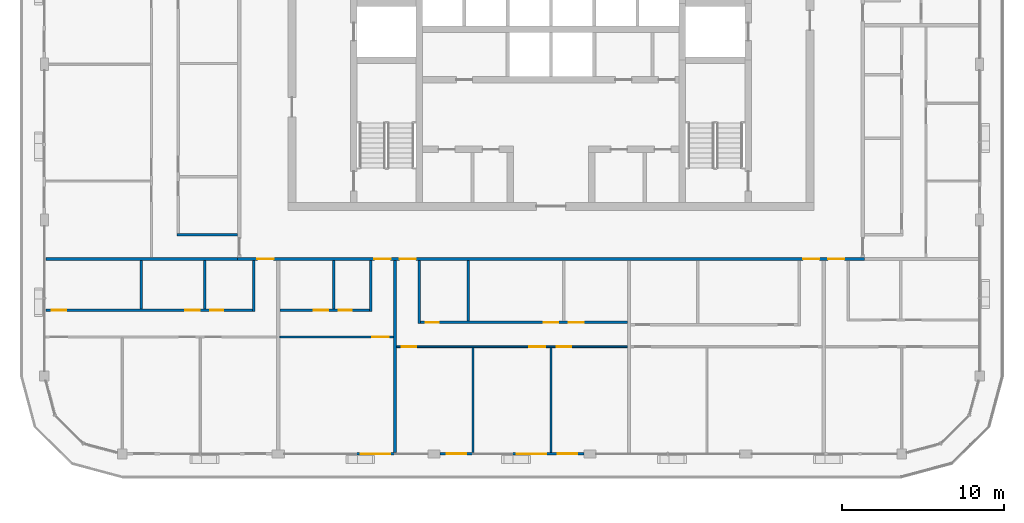
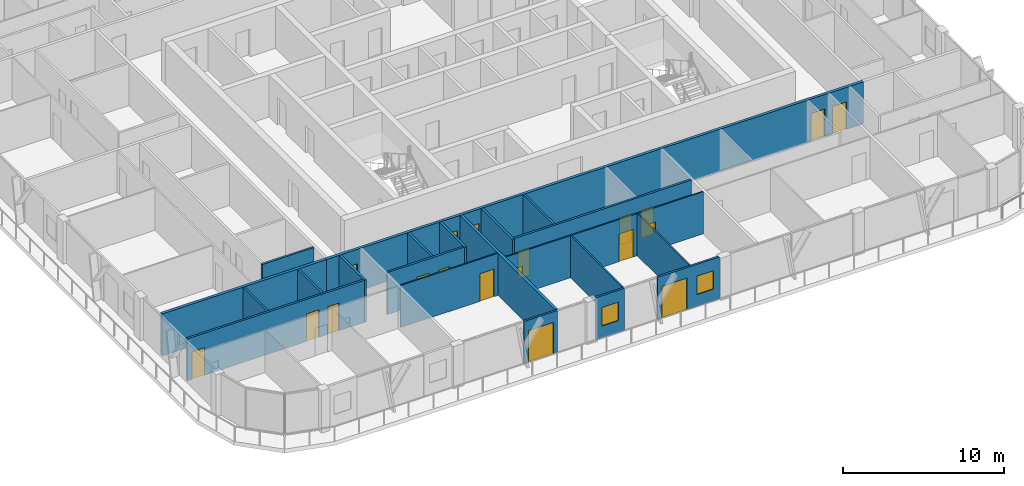
# One storey, part 9 of 22: 21 walls, 19 doors, 2 windows, 21 openings.
"""IFC4 building model written with IfcOpenShell, lengths in metres."""

from ifc_helpers import new_model, si_unit, direction, frame, frame_2d, origin, place, context, subcontext, project, spatial, rectangle, extrude, material, layer, layer_set, type_object, element, fill, save


model = new_model("IFC4")

# Units and contexts
model_context = context("Model", 3, precision=1e-05, world=origin(), true_north=direction((0.0, 1.0)))
body_context = subcontext(model_context, "Body", "Model", "MODEL_VIEW")
ifc_project = project(units=[si_unit("LENGTHUNIT", "METRE"), si_unit("AREAUNIT", "SQUARE_METRE"), si_unit("VOLUMEUNIT", "CUBIC_METRE"), si_unit("PLANEANGLEUNIT", "RADIAN"), si_unit("MASSUNIT", "GRAM", prefix="KILO")], contexts=[model_context])

# Site, building, storey
site_placement = place(None, origin())
site = spatial("IfcSite", under=ifc_project, at=site_placement, CompositionType="ELEMENT")
building_placement = place(site_placement, origin())
building = spatial("IfcBuilding", under=site, at=building_placement, Name="Madar Terraces", CompositionType="ELEMENT")
storey_placement = place(building_placement, frame((0.0, 0.0, 282.60009765625)))
storey = spatial("IfcBuildingStorey", under=building, at=storey_placement, Name="L74", CompositionType="ELEMENT", Elevation=282.60009765625)

# Wall, opening, door
ifc_material_1 = material(Name="Aluminium composite panel, black, over insulated backing", Category="aluminium")
ifc_layer_1 = layer(ifc_material_1, 0.14990234375)
ifc_layer_set_1 = layer_set([ifc_layer_1], Name="Facade bay panel 150")
wall_type_1 = type_object("IfcWallType", Name="Facade bay panel 150", PredefinedType="SOLIDWALL", material=ifc_layer_set_1)
wall_1_placement = place(storey_placement, frame((19.199951171875, 0.0, 0.0), z_axis=(0.0, 0.0, 1.0), x_axis=(1.0, 0.0, 0.0)))
wall_1 = element("IfcWall", 1, at=wall_1_placement, inside=storey, type_object=wall_type_1, Name="Facade bay panel", PredefinedType="SOLIDWALL", context=body_context, shape_type="SweptSolid", body=[
    extrude(rectangle(XDim=2.400146484375, YDim=0.14990234375, at=frame_2d((1.2001953125, 0.0))), origin(), (0.0, 0.0, 1.0), 3.199951171875),
])
opening_1_placement = place(wall_1_placement, frame((0.300048828125, 0.0, 0.0)))
opening_1 = element("IfcOpeningElement", 2, at=opening_1_placement, cuts=wall_1, Name="Opening ED1", PredefinedType="OPENING", context=body_context, shape_type="SweptSolid", body=[
    extrude(rectangle(XDim=1.800048828125, YDim=2.39990234375, at=frame_2d((0.89990234375, 1.199951171875))), frame((0.0, 0.0849609375, 0.0), z_axis=(0.0, -1.0, 0.0), x_axis=(1.0, 0.0, 0.0)), (0.0, 0.0, 1.0), 0.169921875),
])
ifc_material_2 = material(Name="Glass, clear, with black aluminium frame", Category="aluminium")
door_type_1 = type_object("IfcDoorType", Name="Balcony and terrace sliding door 1800 x 2400", OperationType="SLIDING_TO_LEFT", PredefinedType="DOOR", material=ifc_material_2)
door_1_placement = place(opening_1_placement, origin())
door_1 = element("IfcDoor", 3, at=door_1_placement, inside=storey, type_object=door_type_1, Name="Balcony door", OperationType="SLIDING_TO_LEFT", OverallHeight=2.39990234375, OverallWidth=1.800048828125, PredefinedType="DOOR", context=body_context, shape_type="SweptSolid", body=[
    extrude(rectangle(XDim=1.800048828125, YDim=2.39990234375, at=frame_2d((0.89990234375, 1.199951171875))), frame((0.0, 0.02490234375, 0.0), z_axis=(0.0, -1.0, 0.0), x_axis=(1.0, 0.0, 0.0)), (0.0, 0.0, 1.0), 0.050048828125),
])
fill(opening_1, door_1)

# Wall, opening, window
wall_2_placement = place(storey_placement, frame((24.375, 0.0, 0.0), z_axis=(0.0, 0.0, 1.0), x_axis=(1.0, 0.0, 0.0)))
wall_2 = element("IfcWall", 4, at=wall_2_placement, inside=storey, type_object=wall_type_1, Name="Facade bay panel", PredefinedType="SOLIDWALL", context=body_context, shape_type="SweptSolid", body=[
    extrude(rectangle(XDim=2.02490234375, YDim=0.14990234375, at=frame_2d((1.012451171875, 0.0))), origin(), (0.0, 0.0, 1.0), 3.199951171875),
])
opening_2_placement = place(wall_2_placement, frame((0.41259765625, 0.0, 0.89990234375)))
opening_2 = element("IfcOpeningElement", 5, at=opening_2_placement, cuts=wall_2, Name="Opening W1", PredefinedType="OPENING", context=body_context, shape_type="SweptSolid", body=[
    extrude(rectangle(XDim=1.199951171875, YDim=1.39990234375, at=frame_2d((0.60009765625, 0.699951171875))), frame((0.0, 0.0849609375, 0.0), z_axis=(0.0, -1.0, 0.0), x_axis=(1.0, 0.0, 0.0)), (0.0, 0.0, 1.0), 0.169921875),
])
ifc_material_3 = material(Name="Glass, clear, with black aluminium frame", Category="aluminium")
window_type = type_object("IfcWindowType", Name="Vent window 1200 x 1400", PartitioningType="SINGLE_PANEL", PredefinedType="WINDOW", material=ifc_material_3)
window_1_placement = place(opening_2_placement, origin())
window_1 = element("IfcWindow", 6, at=window_1_placement, inside=storey, type_object=window_type, Name="Operable vent window", OverallHeight=1.39990234375, OverallWidth=1.199951171875, PartitioningType="SINGLE_PANEL", PredefinedType="WINDOW", context=body_context, shape_type="SweptSolid", body=[
    extrude(rectangle(XDim=1.199951171875, YDim=1.39990234375, at=frame_2d((0.60009765625, 0.699951171875))), frame((0.0, 0.030029296875, 0.0), z_axis=(0.0, -1.0, 0.0), x_axis=(1.0, 0.0, 0.0)), (0.0, 0.0, 1.0), 0.06005859375),
])
fill(opening_2, window_1)

# Wall, openings, door, window
wall_3_placement = place(storey_placement, frame((28.800048828125, 0.0, 0.0), z_axis=(0.0, 0.0, 1.0), x_axis=(1.0, 0.0, 0.0)))
wall_3 = element("IfcWall", 7, at=wall_3_placement, inside=storey, type_object=wall_type_1, Name="Facade bay panel", PredefinedType="SOLIDWALL", context=body_context, shape_type="SweptSolid", body=[
    extrude(rectangle(XDim=4.425048828125, YDim=0.14990234375, at=frame_2d((2.21240234375, 0.0))), origin(), (0.0, 0.0, 1.0), 3.199951171875),
])
opening_3_placement = place(wall_3_placement, frame((0.300048828125, 0.0, 0.0)))
opening_3 = element("IfcOpeningElement", 8, at=opening_3_placement, cuts=wall_3, Name="Opening ED1", PredefinedType="OPENING", context=body_context, shape_type="SweptSolid", body=[
    extrude(rectangle(XDim=1.800048828125, YDim=2.39990234375, at=frame_2d((0.89990234375, 1.199951171875))), frame((0.0, 0.0849609375, 0.0), z_axis=(0.0, -1.0, 0.0), x_axis=(1.0, 0.0, 0.0)), (0.0, 0.0, 1.0), 0.169921875),
])
opening_4_placement = place(wall_3_placement, frame((2.8125, 0.0, 0.89990234375)))
opening_4 = element("IfcOpeningElement", 9, at=opening_4_placement, cuts=wall_3, Name="Opening W1", PredefinedType="OPENING", context=body_context, shape_type="SweptSolid", body=[
    extrude(rectangle(XDim=1.199951171875, YDim=1.39990234375, at=frame_2d((0.60009765625, 0.699951171875))), frame((0.0, 0.0849609375, 0.0), z_axis=(0.0, -1.0, 0.0), x_axis=(1.0, 0.0, 0.0)), (0.0, 0.0, 1.0), 0.169921875),
])
door_2_placement = place(opening_3_placement, origin())
door_2 = element("IfcDoor", 10, at=door_2_placement, inside=storey, type_object=door_type_1, Name="Balcony door", OperationType="SLIDING_TO_RIGHT", OverallHeight=2.39990234375, OverallWidth=1.800048828125, PredefinedType="DOOR", context=body_context, shape_type="SweptSolid", body=[
    extrude(rectangle(XDim=1.800048828125, YDim=2.39990234375, at=frame_2d((0.89990234375, 1.199951171875))), frame((0.0, 0.02490234375, 0.0), z_axis=(0.0, -1.0, 0.0), x_axis=(1.0, 0.0, 0.0)), (0.0, 0.0, 1.0), 0.050048828125),
])
fill(opening_3, door_2)
window_2_placement = place(opening_4_placement, origin())
window_2 = element("IfcWindow", 11, at=window_2_placement, inside=storey, type_object=window_type, Name="Operable vent window", OverallHeight=1.39990234375, OverallWidth=1.199951171875, PartitioningType="SINGLE_PANEL", PredefinedType="WINDOW", context=body_context, shape_type="SweptSolid", body=[
    extrude(rectangle(XDim=1.199951171875, YDim=1.39990234375, at=frame_2d((0.60009765625, 0.699951171875))), frame((0.0, 0.030029296875, 0.0), z_axis=(0.0, -1.0, 0.0), x_axis=(1.0, 0.0, 0.0)), (0.0, 0.0, 1.0), 0.06005859375),
])
fill(opening_4, window_2)

# Wall, opening, door
ifc_material_4 = material(Name="Gypsum board on steel studs", Category="steel")
ifc_layer_2 = layer(ifc_material_4, 0.10009765625)
ifc_layer_set_2 = layer_set([ifc_layer_2], Name="Flat partition 100")
wall_type_2 = type_object("IfcWallType", Name="Flat partition 100", PredefinedType="PARTITIONING", material=ifc_layer_set_2)
wall_4_placement = place(storey_placement, frame((21.5, 7.199951171875, 0.0), z_axis=(0.0, 0.0, 1.0), x_axis=(-1.0, 0.0, 0.0)))
wall_4 = element("IfcWall", 12, at=wall_4_placement, inside=storey, type_object=wall_type_2, Name="Flat partition 100", PredefinedType="PARTITIONING", context=body_context, shape_type="SweptSolid", body=[
    extrude(rectangle(XDim=7.0, YDim=0.10009765625, at=frame_2d((3.5, 0.0))), origin(), (0.0, 0.0, 1.0), 3.199951171875),
])
opening_5_placement = place(wall_4_placement, frame((0.300048828125, 0.0, 0.0)))
opening_5 = element("IfcOpeningElement", 13, at=opening_5_placement, cuts=wall_4, Name="Opening D3", PredefinedType="OPENING", context=body_context, shape_type="SweptSolid", body=[
    extrude(rectangle(XDim=1.0, YDim=2.10009765625, at=frame_2d((0.5, 1.050048828125))), frame((0.0, 0.06005859375, 0.0), z_axis=(0.0, -1.0, 0.0), x_axis=(1.0, 0.0, 0.0)), (0.0, 0.0, 1.0), 0.1201171875),
])
ifc_material_5 = material(Name="Timber door leaf", Category="wood")
door_type_2 = type_object("IfcDoorType", Name="Flat living room door 1000", OperationType="NOTDEFINED", PredefinedType="DOOR", material=ifc_material_5)
door_3_placement = place(opening_5_placement, origin())
door_3 = element("IfcDoor", 14, at=door_3_placement, inside=storey, type_object=door_type_2, Name="Flat living room door 1000", OperationType="SINGLE_SWING_LEFT", OverallHeight=2.10009765625, OverallWidth=1.0, PredefinedType="DOOR", context=body_context, shape_type="SweptSolid", body=[
    extrude(rectangle(XDim=1.0, YDim=2.10009765625, at=frame_2d((0.5, 1.050048828125))), frame((0.0, 0.02490234375, 0.0), z_axis=(0.0, -1.0, 0.0), x_axis=(1.0, 0.0, 0.0)), (0.0, 0.0, 1.0), 0.050048828125),
])
fill(opening_5, door_3)

# Walls
for number, where, z_axis, x_axis, name in (
    (15, (26.39990234375, 6.550048828125, 0.0), (0.0, 0.0, 1.0), (0.0, -1.0, 0.0), "Flat partition 100"),
    (16, (31.199951171875, 6.550048828125, 0.0), (0.0, 0.0, 1.0), (0.0, -1.0, 0.0), "Flat partition 100"),
):
    element("IfcWall", number, at=place(storey_placement, frame(where, z_axis=z_axis, x_axis=x_axis)), inside=storey, type_object=wall_type_2, Name=name, PredefinedType="PARTITIONING", context=body_context, shape_type="SweptSolid", body=[
        extrude(rectangle(XDim=6.449951171875, YDim=0.10009765625, at=frame_2d((3.22509765625, 0.0))), origin(), (0.0, 0.0, 1.0), 3.199951171875),
    ])

# Wall, openings, doors
wall_5_placement = place(storey_placement, frame((35.89990234375, 6.60009765625, 0.0), z_axis=(0.0, 0.0, 1.0), x_axis=(-1.0, 0.0, 0.0)))
wall_5 = element("IfcWall", 17, at=wall_5_placement, inside=storey, type_object=wall_type_2, Name="Flat partition 100", PredefinedType="PARTITIONING", context=body_context, shape_type="SweptSolid", body=[
    extrude(rectangle(XDim=14.199951171875, YDim=0.10009765625, at=frame_2d((7.10009765625, 0.0))), origin(), (0.0, 0.0, 1.0), 3.199951171875),
])
opening_6_placement = place(wall_5_placement, frame((13.0, 0.0, 0.0)))
opening_6 = element("IfcOpeningElement", 18, at=opening_6_placement, cuts=wall_5, Name="Opening D2", PredefinedType="OPENING", context=body_context, shape_type="SweptSolid", body=[
    extrude(rectangle(XDim=0.89990234375, YDim=2.10009765625, at=frame_2d((0.449951171875, 1.050048828125))), frame((0.0, 0.06005859375, 0.0), z_axis=(0.0, -1.0, 0.0), x_axis=(1.0, 0.0, 0.0)), (0.0, 0.0, 1.0), 0.1201171875),
])
opening_7_placement = place(wall_5_placement, frame((5.050048828125, 0.0, 0.0)))
opening_7 = element("IfcOpeningElement", 19, at=opening_7_placement, cuts=wall_5, Name="Opening D3", PredefinedType="OPENING", context=body_context, shape_type="SweptSolid", body=[
    extrude(rectangle(XDim=1.0, YDim=2.10009765625, at=frame_2d((0.5, 1.050048828125))), frame((0.0, 0.06005859375, 0.0), z_axis=(0.0, -1.0, 0.0), x_axis=(1.0, 0.0, 0.0)), (0.0, 0.0, 1.0), 0.1201171875),
])
opening_8_placement = place(wall_5_placement, frame((3.449951171875, 0.0, 0.0)))
opening_8 = element("IfcOpeningElement", 20, at=opening_8_placement, cuts=wall_5, Name="Opening D2", PredefinedType="OPENING", context=body_context, shape_type="SweptSolid", body=[
    extrude(rectangle(XDim=0.89990234375, YDim=2.10009765625, at=frame_2d((0.449951171875, 1.050048828125))), frame((0.0, 0.06005859375, 0.0), z_axis=(0.0, -1.0, 0.0), x_axis=(1.0, 0.0, 0.0)), (0.0, 0.0, 1.0), 0.1201171875),
])
door_4_placement = place(opening_7_placement, origin())
door_4 = element("IfcDoor", 21, at=door_4_placement, inside=storey, type_object=door_type_2, Name="Flat living room door 1000", OperationType="SINGLE_SWING_LEFT", OverallHeight=2.10009765625, OverallWidth=1.0, PredefinedType="DOOR", context=body_context, shape_type="SweptSolid", body=[
    extrude(rectangle(XDim=1.0, YDim=2.10009765625, at=frame_2d((0.5, 1.050048828125))), frame((0.0, 0.02490234375, 0.0), z_axis=(0.0, -1.0, 0.0), x_axis=(1.0, 0.0, 0.0)), (0.0, 0.0, 1.0), 0.050048828125),
])
fill(opening_7, door_4)
ifc_material_6 = material(Name="Timber door leaf", Category="wood")
door_type_3 = type_object("IfcDoorType", Name="Flat room door 900", OperationType="NOTDEFINED", PredefinedType="DOOR", material=ifc_material_6)
door_5_placement = place(opening_6_placement, origin())
door_5 = element("IfcDoor", 22, at=door_5_placement, inside=storey, type_object=door_type_3, Name="Flat room door 900", OperationType="SINGLE_SWING_RIGHT", OverallHeight=2.10009765625, OverallWidth=0.89990234375, PredefinedType="DOOR", context=body_context, shape_type="SweptSolid", body=[
    extrude(rectangle(XDim=0.89990234375, YDim=2.10009765625, at=frame_2d((0.449951171875, 1.050048828125))), frame((0.0, 0.02490234375, 0.0), z_axis=(0.0, -1.0, 0.0), x_axis=(1.0, 0.0, 0.0)), (0.0, 0.0, 1.0), 0.050048828125),
])
fill(opening_6, door_5)
door_6_placement = place(opening_8_placement, origin())
door_6 = element("IfcDoor", 23, at=door_6_placement, inside=storey, type_object=door_type_3, Name="Flat room door 900", OperationType="SINGLE_SWING_RIGHT", OverallHeight=2.10009765625, OverallWidth=0.89990234375, PredefinedType="DOOR", context=body_context, shape_type="SweptSolid", body=[
    extrude(rectangle(XDim=0.89990234375, YDim=2.10009765625, at=frame_2d((0.449951171875, 1.050048828125))), frame((0.0, 0.02490234375, 0.0), z_axis=(0.0, -1.0, 0.0), x_axis=(1.0, 0.0, 0.0)), (0.0, 0.0, 1.0), 0.050048828125),
])
fill(opening_8, door_6)

ifc_material_7 = material(Name="Lightweight blockwork", Category="masonry")
ifc_layer_3 = layer(ifc_material_7, 0.199951171875)
ifc_layer_set_3 = layer_set([ifc_layer_3], Name="Flat party and entrance wall 200")
wall_type_3 = type_object("IfcWallType", Name="Flat party and entrance wall 200", PredefinedType="PARTITIONING", material=ifc_layer_set_3)
wall_6_placement = place(storey_placement, frame((50.5, 12.0, 0.0), z_axis=(0.0, 0.0, 1.0), x_axis=(-1.0, 0.0, 0.0)))
wall_6 = element("IfcWall", 24, at=wall_6_placement, inside=storey, type_object=wall_type_3, Name="Flat party and entrance wall 200", PredefinedType="PARTITIONING", context=body_context, shape_type="SweptSolid", body=[
    extrude(rectangle(XDim=38.60009765625, YDim=0.199951171875, at=frame_2d((19.300048828125, 0.0))), origin(), (0.0, 0.0, 1.0), 3.199951171875),
])
opening_9_placement = place(wall_6_placement, frame((36.375, 0.0, 0.0)))
opening_9 = element("IfcOpeningElement", 25, at=opening_9_placement, cuts=wall_6, Name="Opening D1", PredefinedType="OPENING", context=body_context, shape_type="SweptSolid", body=[
    extrude(rectangle(XDim=1.0, YDim=2.10009765625, at=frame_2d((0.5, 1.050048828125))), frame((0.0, 0.10986328125, 0.0), z_axis=(0.0, -1.0, 0.0), x_axis=(1.0, 0.0, 0.0)), (0.0, 0.0, 1.0), 0.219970703125),
])
opening_10_placement = place(wall_6_placement, frame((29.175048828125, 0.0, 0.0)))
opening_10 = element("IfcOpeningElement", 26, at=opening_10_placement, cuts=wall_6, Name="Opening D1", PredefinedType="OPENING", context=body_context, shape_type="SweptSolid", body=[
    extrude(rectangle(XDim=1.0, YDim=2.10009765625, at=frame_2d((0.5, 1.050048828125))), frame((0.0, 0.10986328125, 0.0), z_axis=(0.0, -1.0, 0.0), x_axis=(1.0, 0.0, 0.0)), (0.0, 0.0, 1.0), 0.219970703125),
])
opening_11_placement = place(wall_6_placement, frame((27.625, 0.0, 0.0)))
opening_11 = element("IfcOpeningElement", 27, at=opening_11_placement, cuts=wall_6, Name="Opening D1", PredefinedType="OPENING", context=body_context, shape_type="SweptSolid", body=[
    extrude(rectangle(XDim=1.0, YDim=2.10009765625, at=frame_2d((0.5, 1.050048828125))), frame((0.0, 0.10986328125, 0.0), z_axis=(0.0, -1.0, 0.0), x_axis=(1.0, 0.0, 0.0)), (0.0, 0.0, 1.0), 0.219970703125),
])
opening_12_placement = place(wall_6_placement, frame((2.77490234375, 0.0, 0.0)))
opening_12 = element("IfcOpeningElement", 28, at=opening_12_placement, cuts=wall_6, Name="Opening D1", PredefinedType="OPENING", context=body_context, shape_type="SweptSolid", body=[
    extrude(rectangle(XDim=1.0, YDim=2.10009765625, at=frame_2d((0.5, 1.050048828125))), frame((0.0, 0.10986328125, 0.0), z_axis=(0.0, -1.0, 0.0), x_axis=(1.0, 0.0, 0.0)), (0.0, 0.0, 1.0), 0.219970703125),
])
opening_13_placement = place(wall_6_placement, frame((1.22509765625, 0.0, 0.0)))
opening_13 = element("IfcOpeningElement", 29, at=opening_13_placement, cuts=wall_6, Name="Opening D1", PredefinedType="OPENING", context=body_context, shape_type="SweptSolid", body=[
    extrude(rectangle(XDim=1.0, YDim=2.10009765625, at=frame_2d((0.5, 1.050048828125))), frame((0.0, 0.10986328125, 0.0), z_axis=(0.0, -1.0, 0.0), x_axis=(1.0, 0.0, 0.0)), (0.0, 0.0, 1.0), 0.219970703125),
])
ifc_material_8 = material(Name="Timber fire door leaf", Category="wood")
door_type_4 = type_object("IfcDoorType", Name="Flat entrance door 1000 FD30S", OperationType="NOTDEFINED", PredefinedType="DOOR", material=ifc_material_8)
door_7_placement = place(opening_9_placement, origin())
door_7 = element("IfcDoor", 30, at=door_7_placement, inside=storey, type_object=door_type_4, Name="Flat entrance door 1000 FD30S", OperationType="SINGLE_SWING_LEFT", OverallHeight=2.10009765625, OverallWidth=1.0, PredefinedType="DOOR", context=body_context, shape_type="SweptSolid", body=[
    extrude(rectangle(XDim=1.0, YDim=2.10009765625, at=frame_2d((0.5, 1.050048828125))), frame((0.0, 0.02490234375, 0.0), z_axis=(0.0, -1.0, 0.0), x_axis=(1.0, 0.0, 0.0)), (0.0, 0.0, 1.0), 0.050048828125),
])
fill(opening_9, door_7)
door_8_placement = place(opening_10_placement, origin())
door_8 = element("IfcDoor", 31, at=door_8_placement, inside=storey, type_object=door_type_4, Name="Flat entrance door 1000 FD30S", OperationType="SINGLE_SWING_LEFT", OverallHeight=2.10009765625, OverallWidth=1.0, PredefinedType="DOOR", context=body_context, shape_type="SweptSolid", body=[
    extrude(rectangle(XDim=1.0, YDim=2.10009765625, at=frame_2d((0.5, 1.050048828125))), frame((0.0, 0.02490234375, 0.0), z_axis=(0.0, -1.0, 0.0), x_axis=(1.0, 0.0, 0.0)), (0.0, 0.0, 1.0), 0.050048828125),
])
fill(opening_10, door_8)
door_9_placement = place(opening_11_placement, origin())
door_9 = element("IfcDoor", 32, at=door_9_placement, inside=storey, type_object=door_type_4, Name="Flat entrance door 1000 FD30S", OperationType="SINGLE_SWING_RIGHT", OverallHeight=2.10009765625, OverallWidth=1.0, PredefinedType="DOOR", context=body_context, shape_type="SweptSolid", body=[
    extrude(rectangle(XDim=1.0, YDim=2.10009765625, at=frame_2d((0.5, 1.050048828125))), frame((0.0, 0.02490234375, 0.0), z_axis=(0.0, -1.0, 0.0), x_axis=(1.0, 0.0, 0.0)), (0.0, 0.0, 1.0), 0.050048828125),
])
fill(opening_11, door_9)
door_10_placement = place(opening_12_placement, origin())
door_10 = element("IfcDoor", 33, at=door_10_placement, inside=storey, type_object=door_type_4, Name="Flat entrance door 1000 FD30S", OperationType="SINGLE_SWING_LEFT", OverallHeight=2.10009765625, OverallWidth=1.0, PredefinedType="DOOR", context=body_context, shape_type="SweptSolid", body=[
    extrude(rectangle(XDim=1.0, YDim=2.10009765625, at=frame_2d((0.5, 1.050048828125))), frame((0.0, 0.02490234375, 0.0), z_axis=(0.0, -1.0, 0.0), x_axis=(1.0, 0.0, 0.0)), (0.0, 0.0, 1.0), 0.050048828125),
])
fill(opening_12, door_10)
door_11_placement = place(opening_13_placement, origin())
door_11 = element("IfcDoor", 34, at=door_11_placement, inside=storey, type_object=door_type_4, Name="Flat entrance door 1000 FD30S", OperationType="SINGLE_SWING_RIGHT", OverallHeight=2.10009765625, OverallWidth=1.0, PredefinedType="DOOR", context=body_context, shape_type="SweptSolid", body=[
    extrude(rectangle(XDim=1.0, YDim=2.10009765625, at=frame_2d((0.5, 1.050048828125))), frame((0.0, 0.02490234375, 0.0), z_axis=(0.0, -1.0, 0.0), x_axis=(1.0, 0.0, 0.0)), (0.0, 0.0, 1.0), 0.050048828125),
])
fill(opening_13, door_11)

# Walls
for number, where, z_axis, x_axis, name in (
    (35, (0.10009765625, 12.0, 0.0), (0.0, 0.0, 1.0), (1.0, 0.0, 0.0), "Flat party and entrance wall 200"),
    (36, (21.60009765625, 11.89990234375, 0.0), (0.0, 0.0, 1.0), (0.0, -1.0, 0.0), "Flat party and entrance wall 200"),
):
    element("IfcWall", number, at=place(storey_placement, frame(where, z_axis=z_axis, x_axis=x_axis)), inside=storey, type_object=wall_type_3, Name=name, PredefinedType="PARTITIONING", context=body_context, shape_type="SweptSolid", body=[
        extrude(rectangle(XDim=11.7998046875, YDim=0.199951171875, at=frame_2d((5.89990234375, 0.0))), origin(), (0.0, 0.0, 1.0), 3.199951171875),
    ])
ifc_material_9 = material(Name="Lightweight blockwork", Category="masonry")
ifc_layer_4 = layer(ifc_material_9, 0.14990234375)
ifc_layer_set_4 = layer_set([ifc_layer_4], Name="Flat wet-room partition 150")
wall_type_4 = type_object("IfcWallType", Name="Flat wet-room partition 150", PredefinedType="PARTITIONING", material=ifc_layer_set_4)
for number, where, z_axis, x_axis, name in (
    (37, (9.888427734375, 11.89990234375, 0.0), (0.0, 0.0, 1.0), (0.0, -1.0, 0.0), "Flat wet-room partition 150"),
    (38, (5.97314453125, 11.89990234375, 0.0), (0.0, 0.0, 1.0), (0.0, -1.0, 0.0), "Flat wet-room partition 150"),
):
    element("IfcWall", number, at=place(storey_placement, frame(where, z_axis=z_axis, x_axis=x_axis)), inside=storey, type_object=wall_type_4, Name=name, PredefinedType="PARTITIONING", context=body_context, shape_type="SweptSolid", body=[
        extrude(rectangle(XDim=2.974853515625, YDim=0.14990234375, at=frame_2d((1.4873046875, 0.0))), origin(), (0.0, 0.0, 1.0), 3.199951171875),
    ])
wall_7_placement = place(storey_placement, frame((12.89990234375, 11.89990234375, 0.0), z_axis=(0.0, 0.0, 1.0), x_axis=(0.0, -1.0, 0.0)))
element("IfcWall", 39, at=wall_7_placement, inside=storey, type_object=wall_type_4, Name="Flat wet-room partition 150", PredefinedType="PARTITIONING", context=body_context, shape_type="SweptSolid", body=[
    extrude(rectangle(XDim=3.125, YDim=0.14990234375, at=frame_2d((1.5625, 0.0))), origin(), (0.0, 0.0, 1.0), 3.199951171875),
])

# Wall, openings, doors
wall_8_placement = place(storey_placement, frame((0.10009765625, 8.85009765625, 0.0), z_axis=(0.0, 0.0, 1.0), x_axis=(1.0, 0.0, 0.0)))
wall_8 = element("IfcWall", 40, at=wall_8_placement, inside=storey, type_object=wall_type_4, Name="Flat wet-room partition 150", PredefinedType="PARTITIONING", context=body_context, shape_type="SweptSolid", body=[
    extrude(rectangle(XDim=12.724853515625, YDim=0.14990234375, at=frame_2d((6.3623046875, 0.0))), origin(), (0.0, 0.0, 1.0), 3.199951171875),
])
opening_14_placement = place(wall_8_placement, frame((10.113525390625, 0.0, 0.0)))
opening_14 = element("IfcOpeningElement", 41, at=opening_14_placement, cuts=wall_8, Name="Opening D4", PredefinedType="OPENING", context=body_context, shape_type="SweptSolid", body=[
    extrude(rectangle(XDim=0.800048828125, YDim=2.10009765625, at=frame_2d((0.39990234375, 1.050048828125))), frame((0.0, 0.0849609375, 0.0), z_axis=(0.0, -1.0, 0.0), x_axis=(1.0, 0.0, 0.0)), (0.0, 0.0, 1.0), 0.169921875),
])
opening_15_placement = place(wall_8_placement, frame((8.5634765625, 0.0, 0.0)))
opening_15 = element("IfcOpeningElement", 42, at=opening_15_placement, cuts=wall_8, Name="Opening D5", PredefinedType="OPENING", context=body_context, shape_type="SweptSolid", body=[
    extrude(rectangle(XDim=0.89990234375, YDim=2.10009765625, at=frame_2d((0.449951171875, 1.050048828125))), frame((0.0, 0.0849609375, 0.0), z_axis=(0.0, -1.0, 0.0), x_axis=(1.0, 0.0, 0.0)), (0.0, 0.0, 1.0), 0.169921875),
])
opening_16_placement = place(wall_8_placement, frame((0.35009765625, 0.0, 0.0)))
opening_16 = element("IfcOpeningElement", 43, at=opening_16_placement, cuts=wall_8, Name="Opening D2", PredefinedType="OPENING", context=body_context, shape_type="SweptSolid", body=[
    extrude(rectangle(XDim=0.89990234375, YDim=2.10009765625, at=frame_2d((0.449951171875, 1.050048828125))), frame((0.0, 0.0849609375, 0.0), z_axis=(0.0, -1.0, 0.0), x_axis=(1.0, 0.0, 0.0)), (0.0, 0.0, 1.0), 0.169921875),
])
ifc_material_10 = material(Name="Timber door leaf", Category="wood")
door_type_5 = type_object("IfcDoorType", Name="Flat accessible bathroom door 900", OperationType="NOTDEFINED", PredefinedType="DOOR", material=ifc_material_10)
door_12_placement = place(opening_15_placement, origin())
door_12 = element("IfcDoor", 44, at=door_12_placement, inside=storey, type_object=door_type_5, Name="Flat accessible bathroom door 900", OperationType="SINGLE_SWING_RIGHT", OverallHeight=2.10009765625, OverallWidth=0.89990234375, PredefinedType="DOOR", context=body_context, shape_type="SweptSolid", body=[
    extrude(rectangle(XDim=0.89990234375, YDim=2.10009765625, at=frame_2d((0.449951171875, 1.050048828125))), frame((0.0, 0.02490234375, 0.0), z_axis=(0.0, -1.0, 0.0), x_axis=(1.0, 0.0, 0.0)), (0.0, 0.0, 1.0), 0.050048828125),
])
fill(opening_15, door_12)
ifc_material_11 = material(Name="Timber door leaf", Category="wood")
door_type_6 = type_object("IfcDoorType", Name="Flat bathroom door 800", OperationType="NOTDEFINED", PredefinedType="DOOR", material=ifc_material_11)
door_13_placement = place(opening_14_placement, origin())
door_13 = element("IfcDoor", 45, at=door_13_placement, inside=storey, type_object=door_type_6, Name="Flat bathroom door 800", OperationType="SINGLE_SWING_LEFT", OverallHeight=2.10009765625, OverallWidth=0.800048828125, PredefinedType="DOOR", context=body_context, shape_type="SweptSolid", body=[
    extrude(rectangle(XDim=0.800048828125, YDim=2.10009765625, at=frame_2d((0.39990234375, 1.050048828125))), frame((0.0, 0.02490234375, 0.0), z_axis=(0.0, -1.0, 0.0), x_axis=(1.0, 0.0, 0.0)), (0.0, 0.0, 1.0), 0.050048828125),
])
fill(opening_14, door_13)
door_14_placement = place(opening_16_placement, origin())
door_14 = element("IfcDoor", 46, at=door_14_placement, inside=storey, type_object=door_type_3, Name="Flat room door 900", OperationType="SINGLE_SWING_LEFT", OverallHeight=2.10009765625, OverallWidth=0.89990234375, PredefinedType="DOOR", context=body_context, shape_type="SweptSolid", body=[
    extrude(rectangle(XDim=0.89990234375, YDim=2.10009765625, at=frame_2d((0.449951171875, 1.050048828125))), frame((0.0, 0.02490234375, 0.0), z_axis=(0.0, -1.0, 0.0), x_axis=(1.0, 0.0, 0.0)), (0.0, 0.0, 1.0), 0.050048828125),
])
fill(opening_16, door_14)

# Walls
wall_9_placement = place(storey_placement, frame((17.81494140625, 11.89990234375, 0.0), z_axis=(0.0, 0.0, 1.0), x_axis=(0.0, -1.0, 0.0)))
element("IfcWall", 47, at=wall_9_placement, inside=storey, type_object=wall_type_4, Name="Flat wet-room partition 150", PredefinedType="PARTITIONING", context=body_context, shape_type="SweptSolid", body=[
    extrude(rectangle(XDim=2.974853515625, YDim=0.14990234375, at=frame_2d((1.4873046875, 0.0))), origin(), (0.0, 0.0, 1.0), 3.199951171875),
])
wall_10_placement = place(storey_placement, frame((20.10009765625, 11.89990234375, 0.0), z_axis=(0.0, 0.0, 1.0), x_axis=(0.0, -1.0, 0.0)))
element("IfcWall", 48, at=wall_10_placement, inside=storey, type_object=wall_type_4, Name="Flat wet-room partition 150", PredefinedType="PARTITIONING", context=body_context, shape_type="SweptSolid", body=[
    extrude(rectangle(XDim=3.125, YDim=0.14990234375, at=frame_2d((1.5625, 0.0))), origin(), (0.0, 0.0, 1.0), 3.199951171875),
])

# Wall, openings, doors
wall_11_placement = place(storey_placement, frame((14.5, 8.85009765625, 0.0), z_axis=(0.0, 0.0, 1.0), x_axis=(1.0, 0.0, 0.0)))
wall_11 = element("IfcWall", 49, at=wall_11_placement, inside=storey, type_object=wall_type_4, Name="Flat wet-room partition 150", PredefinedType="PARTITIONING", context=body_context, shape_type="SweptSolid", body=[
    extrude(rectangle(XDim=5.52490234375, YDim=0.14990234375, at=frame_2d((2.762451171875, 0.0))), origin(), (0.0, 0.0, 1.0), 3.199951171875),
])
opening_17_placement = place(wall_11_placement, frame((3.639892578125, 0.0, 0.0)))
opening_17 = element("IfcOpeningElement", 50, at=opening_17_placement, cuts=wall_11, Name="Opening D4", PredefinedType="OPENING", context=body_context, shape_type="SweptSolid", body=[
    extrude(rectangle(XDim=0.800048828125, YDim=2.10009765625, at=frame_2d((0.39990234375, 1.050048828125))), frame((0.0, 0.0849609375, 0.0), z_axis=(0.0, -1.0, 0.0), x_axis=(1.0, 0.0, 0.0)), (0.0, 0.0, 1.0), 0.169921875),
])
opening_18_placement = place(wall_11_placement, frame((2.090087890625, 0.0, 0.0)))
opening_18 = element("IfcOpeningElement", 51, at=opening_18_placement, cuts=wall_11, Name="Opening D2", PredefinedType="OPENING", context=body_context, shape_type="SweptSolid", body=[
    extrude(rectangle(XDim=0.89990234375, YDim=2.10009765625, at=frame_2d((0.449951171875, 1.050048828125))), frame((0.0, 0.0849609375, 0.0), z_axis=(0.0, -1.0, 0.0), x_axis=(1.0, 0.0, 0.0)), (0.0, 0.0, 1.0), 0.169921875),
])
door_15_placement = place(opening_17_placement, origin())
door_15 = element("IfcDoor", 52, at=door_15_placement, inside=storey, type_object=door_type_6, Name="Flat bathroom door 800", OperationType="SINGLE_SWING_LEFT", OverallHeight=2.10009765625, OverallWidth=0.800048828125, PredefinedType="DOOR", context=body_context, shape_type="SweptSolid", body=[
    extrude(rectangle(XDim=0.800048828125, YDim=2.10009765625, at=frame_2d((0.39990234375, 1.050048828125))), frame((0.0, 0.02490234375, 0.0), z_axis=(0.0, -1.0, 0.0), x_axis=(1.0, 0.0, 0.0)), (0.0, 0.0, 1.0), 0.050048828125),
])
fill(opening_17, door_15)
door_16_placement = place(opening_18_placement, origin())
door_16 = element("IfcDoor", 53, at=door_16_placement, inside=storey, type_object=door_type_3, Name="Flat room door 900", OperationType="SINGLE_SWING_RIGHT", OverallHeight=2.10009765625, OverallWidth=0.89990234375, PredefinedType="DOOR", context=body_context, shape_type="SweptSolid", body=[
    extrude(rectangle(XDim=0.89990234375, YDim=2.10009765625, at=frame_2d((0.449951171875, 1.050048828125))), frame((0.0, 0.02490234375, 0.0), z_axis=(0.0, -1.0, 0.0), x_axis=(1.0, 0.0, 0.0)), (0.0, 0.0, 1.0), 0.050048828125),
])
fill(opening_18, door_16)

# Walls
wall_12_placement = place(storey_placement, frame((26.111572265625, 11.89990234375, 0.0), z_axis=(0.0, 0.0, 1.0), x_axis=(0.0, -1.0, 0.0)))
element("IfcWall", 54, at=wall_12_placement, inside=storey, type_object=wall_type_4, Name="Flat wet-room partition 150", PredefinedType="PARTITIONING", context=body_context, shape_type="SweptSolid", body=[
    extrude(rectangle(XDim=3.724853515625, YDim=0.14990234375, at=frame_2d((1.8623046875, 0.0))), origin(), (0.0, 0.0, 1.0), 3.199951171875),
])
wall_13_placement = place(storey_placement, frame((23.10009765625, 11.89990234375, 0.0), z_axis=(0.0, 0.0, 1.0), x_axis=(0.0, -1.0, 0.0)))
element("IfcWall", 55, at=wall_13_placement, inside=storey, type_object=wall_type_4, Name="Flat wet-room partition 150", PredefinedType="PARTITIONING", context=body_context, shape_type="SweptSolid", body=[
    extrude(rectangle(XDim=3.875, YDim=0.14990234375, at=frame_2d((1.9375, 0.0))), origin(), (0.0, 0.0, 1.0), 3.199951171875),
])

# Wall, openings, doors
wall_14_placement = place(storey_placement, frame((23.175048828125, 8.10009765625, 0.0), z_axis=(0.0, 0.0, 1.0), x_axis=(1.0, 0.0, 0.0)))
wall_14 = element("IfcWall", 56, at=wall_14_placement, inside=storey, type_object=wall_type_4, Name="Flat wet-room partition 150", PredefinedType="PARTITIONING", context=body_context, shape_type="SweptSolid", body=[
    extrude(rectangle(XDim=12.724853515625, YDim=0.14990234375, at=frame_2d((6.3623046875, 0.0))), origin(), (0.0, 0.0, 1.0), 3.199951171875),
])
opening_19_placement = place(wall_14_placement, frame((0.300048828125, 0.0, 0.0)))
opening_19 = element("IfcOpeningElement", 57, at=opening_19_placement, cuts=wall_14, Name="Opening D4", PredefinedType="OPENING", context=body_context, shape_type="SweptSolid", body=[
    extrude(rectangle(XDim=0.800048828125, YDim=2.10009765625, at=frame_2d((0.39990234375, 1.050048828125))), frame((0.0, 0.0849609375, 0.0), z_axis=(0.0, -1.0, 0.0), x_axis=(1.0, 0.0, 0.0)), (0.0, 0.0, 1.0), 0.169921875),
])
opening_20_placement = place(wall_14_placement, frame((7.584716796875, 0.0, 0.0)))
opening_20 = element("IfcOpeningElement", 58, at=opening_20_placement, cuts=wall_14, Name="Opening D2", PredefinedType="OPENING", context=body_context, shape_type="SweptSolid", body=[
    extrude(rectangle(XDim=0.89990234375, YDim=2.10009765625, at=frame_2d((0.449951171875, 1.050048828125))), frame((0.0, 0.0849609375, 0.0), z_axis=(0.0, -1.0, 0.0), x_axis=(1.0, 0.0, 0.0)), (0.0, 0.0, 1.0), 0.169921875),
])
opening_21_placement = place(wall_14_placement, frame((9.134521484375, 0.0, 0.0)))
opening_21 = element("IfcOpeningElement", 59, at=opening_21_placement, cuts=wall_14, Name="Opening D5", PredefinedType="OPENING", context=body_context, shape_type="SweptSolid", body=[
    extrude(rectangle(XDim=0.89990234375, YDim=2.10009765625, at=frame_2d((0.449951171875, 1.050048828125))), frame((0.0, 0.0849609375, 0.0), z_axis=(0.0, -1.0, 0.0), x_axis=(1.0, 0.0, 0.0)), (0.0, 0.0, 1.0), 0.169921875),
])
door_17_placement = place(opening_21_placement, origin())
door_17 = element("IfcDoor", 60, at=door_17_placement, inside=storey, type_object=door_type_5, Name="Flat accessible bathroom door 900", OperationType="SINGLE_SWING_LEFT", OverallHeight=2.10009765625, OverallWidth=0.89990234375, PredefinedType="DOOR", context=body_context, shape_type="SweptSolid", body=[
    extrude(rectangle(XDim=0.89990234375, YDim=2.10009765625, at=frame_2d((0.449951171875, 1.050048828125))), frame((0.0, 0.02490234375, 0.0), z_axis=(0.0, -1.0, 0.0), x_axis=(1.0, 0.0, 0.0)), (0.0, 0.0, 1.0), 0.050048828125),
])
fill(opening_21, door_17)
door_18_placement = place(opening_19_placement, origin())
door_18 = element("IfcDoor", 61, at=door_18_placement, inside=storey, type_object=door_type_6, Name="Flat bathroom door 800", OperationType="SINGLE_SWING_LEFT", OverallHeight=2.10009765625, OverallWidth=0.800048828125, PredefinedType="DOOR", context=body_context, shape_type="SweptSolid", body=[
    extrude(rectangle(XDim=0.800048828125, YDim=2.10009765625, at=frame_2d((0.39990234375, 1.050048828125))), frame((0.0, 0.02490234375, 0.0), z_axis=(0.0, -1.0, 0.0), x_axis=(1.0, 0.0, 0.0)), (0.0, 0.0, 1.0), 0.050048828125),
])
fill(opening_19, door_18)
door_19_placement = place(opening_20_placement, origin())
door_19 = element("IfcDoor", 62, at=door_19_placement, inside=storey, type_object=door_type_3, Name="Flat room door 900", OperationType="SINGLE_SWING_RIGHT", OverallHeight=2.10009765625, OverallWidth=0.89990234375, PredefinedType="DOOR", context=body_context, shape_type="SweptSolid", body=[
    extrude(rectangle(XDim=0.89990234375, YDim=2.10009765625, at=frame_2d((0.449951171875, 1.050048828125))), frame((0.0, 0.02490234375, 0.0), z_axis=(0.0, -1.0, 0.0), x_axis=(1.0, 0.0, 0.0)), (0.0, 0.0, 1.0), 0.050048828125),
])
fill(opening_20, door_19)

# Wall
wall_15_placement = place(storey_placement, frame((11.89990234375, 13.5, 0.0), z_axis=(0.0, 0.0, 1.0), x_axis=(-1.0, 0.0, 0.0)))
element("IfcWall", 63, at=wall_15_placement, inside=storey, type_object=wall_type_4, Name="Flat wet-room partition 150", PredefinedType="PARTITIONING", context=body_context, shape_type="SweptSolid", body=[
    extrude(rectangle(XDim=3.724853515625, YDim=0.14990234375, at=frame_2d((1.8623046875, 0.0))), origin(), (0.0, 0.0, 1.0), 3.199951171875),
])

save(model, "model.ifc")
